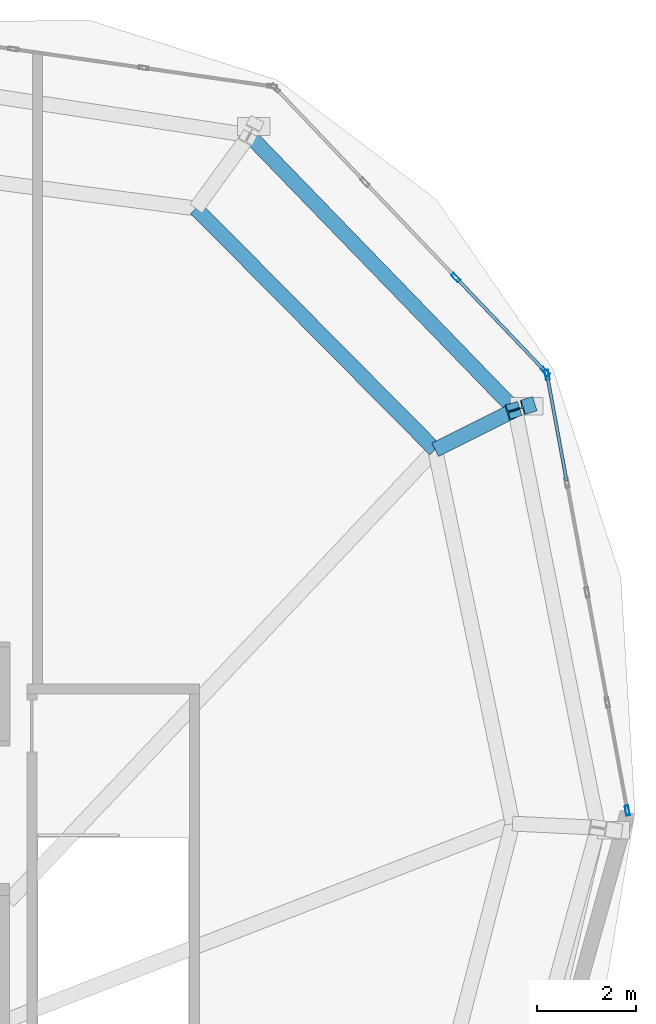
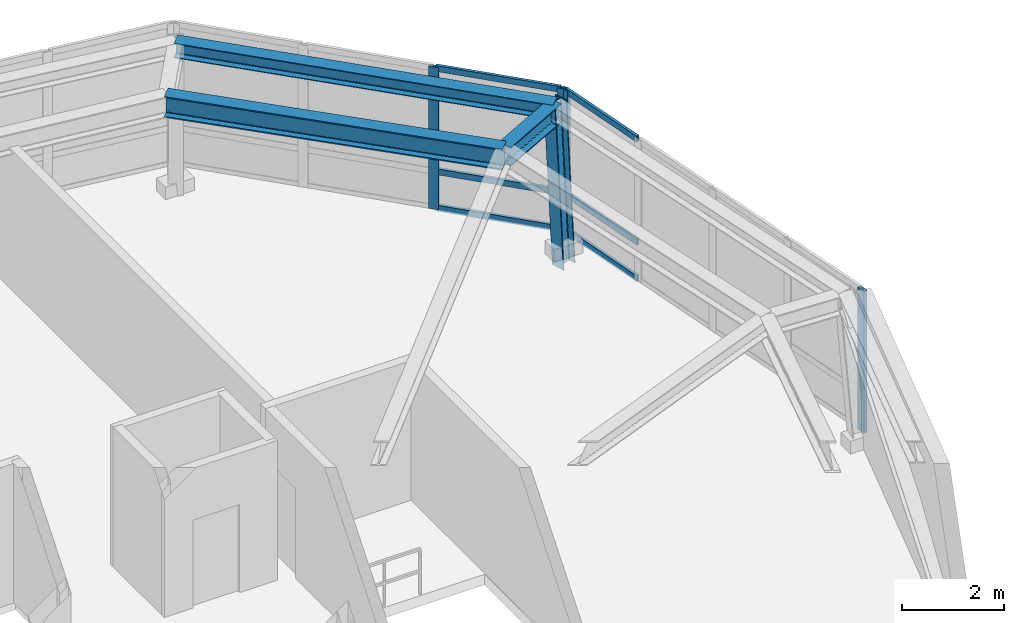
# One storey, part 8 of 14: 11 members, 3 beams, 2 elements without a shape of their own.
"""IFC4 building model written with IfcOpenShell, lengths in metres."""

from ifc_helpers import new_model, si_unit, direction, frame, origin, origin_2d, place, context, subcontext, project, spatial, hollow_rectangle, i_section, extrude, material, layer, layer_set, material_profile, profile_set, type_object, element, aggregate, save


model = new_model("IFC4")

# Units and contexts
model_context = context("Model", 3, precision=1e-05, world=origin(), true_north=direction((0.0, 1.0)))
body_context = subcontext(model_context, "Body", "Model", "MODEL_VIEW")
ifc_project = project(units=[si_unit("LENGTHUNIT", "METRE"), si_unit("AREAUNIT", "SQUARE_METRE"), si_unit("VOLUMEUNIT", "CUBIC_METRE"), si_unit("PLANEANGLEUNIT", "RADIAN"), si_unit("MASSUNIT", "GRAM", prefix="KILO"), si_unit("THERMODYNAMICTEMPERATUREUNIT", "KELVIN"), si_unit("POWERUNIT", "WATT")], contexts=[model_context])

# Site, building, storey
site_placement = place(None, origin())
site = spatial("IfcSite", under=ifc_project, at=site_placement, CompositionType="ELEMENT")
building_placement = place(site_placement, origin())
building = spatial("IfcBuilding", under=site, at=building_placement, Name="Ocrelia Relay Tower", CompositionType="ELEMENT")
storey_placement = place(building_placement, frame((0.0, 0.0, 288.0)))
storey = spatial("IfcBuildingStorey", under=building, at=storey_placement, Name="L72", CompositionType="ELEMENT", Elevation=288.0)

# Beams
ifc_material_1 = material(Name="Steel S355", Category="steel")
ifc_material_profile_1 = material_profile(ifc_material_1, i_section(OverallWidth=0.300048828125, OverallDepth=0.35009765625, WebThickness=0.010009765625, FlangeThickness=0.017578125, FilletRadius=0.027099609375, at=origin_2d()), Name="HEA 360")
ifc_profile_set_1 = profile_set([ifc_material_profile_1], Name="Steel S355")
beam_type_1 = type_object("IfcBeamType", Name="BM-HEA360", PredefinedType="SPANDREL", material=ifc_profile_set_1)
beam_1_placement = place(storey_placement, frame((47.775634765625, 36.7734375, 3.574951171875), z_axis=(-0.695765580141, 0.718268931175, 0.0), x_axis=(-0.718268931175, -0.695765580141, 0.0)))
element("IfcBeam", 1, at=beam_1_placement, inside=storey, type_object=beam_type_1, Name="L72 Crown Faceted Ring Beam R12", PredefinedType="SPANDREL", context=body_context, shape_type="SweptSolid", body=[
    extrude(i_section(OverallWidth=0.300048828125, OverallDepth=0.35009765625, WebThickness=0.010009765625, FlangeThickness=0.017578125, FilletRadius=0.027099609375, at=origin_2d()), origin(), (0.0, 0.0, 1.0), 7.702880859375),
])
ifc_material_profile_2 = material_profile(ifc_material_1, i_section(OverallWidth=0.300048828125, OverallDepth=0.449951171875, WebThickness=0.013916015625, FlangeThickness=0.02587890625, FilletRadius=0.027099609375, at=origin_2d()), Name="HEB 450")
ifc_profile_set_2 = profile_set([ifc_material_profile_2], Name="Steel S355")
beam_type_2 = type_object("IfcBeamType", Name="BM-HEB450", PredefinedType="BEAM", material=ifc_profile_set_2)
beam_2_placement = place(storey_placement, frame((47.775634765625, 36.7734375, 3.52490234375), z_axis=(-0.894860510653, -0.446345904511, 0.0), x_axis=(0.446345904511, -0.894860510653, 0.0)))
element("IfcBeam", 2, at=beam_2_placement, inside=storey, type_object=beam_type_2, Name="L72 Crown Step Radial Beam ST12", PredefinedType="BEAM", context=body_context, shape_type="SweptSolid", body=[
    extrude(i_section(OverallWidth=0.300048828125, OverallDepth=0.449951171875, WebThickness=0.013916015625, FlangeThickness=0.02587890625, FilletRadius=0.027099609375, at=origin_2d()), origin(), (0.0, 0.0, 1.0), 1.80126953125),
])
ifc_material_profile_3 = material_profile(ifc_material_1, i_section(OverallWidth=0.300048828125, OverallDepth=0.5, WebThickness=0.014404296875, FlangeThickness=0.028076171875, FilletRadius=0.027099609375, at=origin_2d()), Name="HEB 500")
ifc_profile_set_3 = profile_set([ifc_material_profile_3], Name="Steel S355")
beam_type_3 = type_object("IfcBeamType", Name="BM-HEB500", PredefinedType="BEAM", material=ifc_profile_set_3)
beam_3_placement = place(storey_placement, frame((46.163818359375, 35.969482421875, 3.5), z_axis=(-0.703978629078, 0.710221155558, 0.0), x_axis=(-0.710221155558, -0.703978629078, 0.0)))
element("IfcBeam", 3, at=beam_3_placement, inside=storey, type_object=beam_type_3, Name="L72 Crown Step Perimeter Ring Beam SR12", PredefinedType="BEAM", context=body_context, shape_type="SweptSolid", body=[
    extrude(i_section(OverallWidth=0.300048828125, OverallDepth=0.5, WebThickness=0.014404296875, FlangeThickness=0.028076171875, FilletRadius=0.027099609375, at=origin_2d()), origin(), (0.0, 0.0, 1.0), 6.84423828125),
])

# Curtain wall, members
ifc_material_2 = material(Name="Aluminium and solar-control low-E glass", Category="aluminium")
ifc_layer = layer(ifc_material_2, 0.179931640625, Name="Aluminium and solar-control low-E glass")
ifc_layer_set = layer_set([ifc_layer], Name="Aluminium and solar-control low-E glass")
curtain_wall_type = type_object("IfcCurtainWallType", Name="CW-SYS-CROWN-PT", PredefinedType="NOTDEFINED", material=ifc_layer_set)
curtain_wall_1_placement = place(storey_placement, origin())
curtain_wall_1 = element("IfcCurtainWall", 4, at=curtain_wall_1_placement, inside=storey, type_object=curtain_wall_type, Name="L72 Faceted Glass-Point Crown Curtain Wall 11", PredefinedType="NOTDEFINED")
ifc_material_3 = material(Name="Anodised bronze aluminium", Category="aluminium")
ifc_material_profile_4 = material_profile(ifc_material_3, hollow_rectangle(XDim=0.074951171875, YDim=0.199951171875, WallThickness=0.006103515625, at=origin_2d()), Name="CW-MUL-200x75")
ifc_profile_set_4 = profile_set([ifc_material_profile_4], Name="Anodised bronze aluminium")
member_type_1 = type_object("IfcMemberType", Name="CW-SYS-CROWN-PT-MUL", PredefinedType="MULLION", material=ifc_profile_set_4)
member_1_placement = place(storey_placement, frame((50.035400390625, 28.70068359375, 0.0), z_axis=(0.0, 0.0, 1.0), x_axis=(-0.983470580695, -0.181067989736, 0.0)))
member_1 = element("IfcMember", 5, at=member_1_placement, type_object=member_type_1, Name="CW-CR mullion 1", PredefinedType="MULLION", context=body_context, shape_type="SweptSolid", body=[
    extrude(hollow_rectangle(XDim=0.074951171875, YDim=0.199951171875, WallThickness=0.006103515625, at=origin_2d()), origin(), (0.0, 0.0, 1.0), 3.389892578125),
])
member_2_placement = place(storey_placement, frame((48.419189453125, 37.479736328125, 0.0), z_axis=(0.0, 0.0, 1.0), x_axis=(-0.983470580695, -0.181067989736, 0.0)))
member_2 = element("IfcMember", 6, at=member_2_placement, type_object=member_type_1, Name="CW-CR mullion 5", PredefinedType="MULLION", context=body_context, shape_type="SweptSolid", body=[
    extrude(hollow_rectangle(XDim=0.074951171875, YDim=0.199951171875, WallThickness=0.006103515625, at=origin_2d()), origin(), (0.0, 0.0, 1.0), 3.389892578125),
])

curtain_wall_2_placement = place(storey_placement, origin())
curtain_wall_2 = element("IfcCurtainWall", 7, at=curtain_wall_2_placement, inside=storey, type_object=curtain_wall_type, Name="L72 Faceted Glass-Point Crown Curtain Wall 12", PredefinedType="NOTDEFINED")
member_3_placement = place(storey_placement, frame((48.386474609375, 37.5439453125, 0.0), z_axis=(0.0, 0.0, 1.0), x_axis=(-0.724174661625, -0.689616603237, 0.0)))
member_3 = element("IfcMember", 8, at=member_3_placement, type_object=member_type_1, Name="CW-CR mullion 1", PredefinedType="MULLION", context=body_context, shape_type="SweptSolid", body=[
    extrude(hollow_rectangle(XDim=0.074951171875, YDim=0.199951171875, WallThickness=0.006103515625, at=origin_2d()), origin(), (0.0, 0.0, 1.0), 3.389892578125),
])
member_4_placement = place(storey_placement, frame((46.581787109375, 39.43896484375, 0.0), z_axis=(0.0, 0.0, 1.0), x_axis=(-0.724174661625, -0.689616603237, 0.0)))
member_4 = element("IfcMember", 9, at=member_4_placement, type_object=member_type_1, Name="CW-CR mullion 2", PredefinedType="MULLION", context=body_context, shape_type="SweptSolid", body=[
    extrude(hollow_rectangle(XDim=0.074951171875, YDim=0.199951171875, WallThickness=0.006103515625, at=origin_2d()), origin(), (0.0, 0.0, 1.0), 3.389892578125),
])

# Member
ifc_material_profile_5 = material_profile(ifc_material_3, hollow_rectangle(XDim=0.06494140625, YDim=0.139892578125, WallThickness=0.0048828125, at=origin_2d()), Name="CW-TRN-140x65")
ifc_profile_set_5 = profile_set([ifc_material_profile_5], Name="Anodised bronze aluminium")
member_type_2 = type_object("IfcMemberType", Name="CW-SYS-CROWN-PT-TRN", PredefinedType="USERDEFINED", material=ifc_profile_set_5)
member_5_placement = place(storey_placement, frame((48.81298828125, 35.34033203125, 0.032470703125), z_axis=(-0.181005470425, 0.983482089149, 0.0), x_axis=(-0.983482089149, -0.181005470425, 0.0)))
member_5 = element("IfcMember", 10, at=member_5_placement, type_object=member_type_2, Name="CW-CR transom 4.1", ObjectType="TRANSOM", PredefinedType="USERDEFINED", context=body_context, shape_type="SweptSolid", body=[
    extrude(hollow_rectangle(XDim=0.06494140625, YDim=0.139892578125, WallThickness=0.0048828125, at=origin_2d()), origin(), (0.0, 0.0, 1.0), 2.137939453125),
])

member_6_placement = place(storey_placement, frame((48.81298828125, 35.34033203125, 0.89990234375), z_axis=(-0.181005470425, 0.983482089149, 0.0), x_axis=(-0.983482089149, -0.181005470425, 0.0)))
member_6 = element("IfcMember", 11, at=member_6_placement, type_object=member_type_2, Name="CW-CR transom 4.2", ObjectType="TRANSOM", PredefinedType="USERDEFINED", context=body_context, shape_type="SweptSolid", body=[
    extrude(hollow_rectangle(XDim=0.06494140625, YDim=0.139892578125, WallThickness=0.0048828125, at=origin_2d()), origin(), (0.0, 0.0, 1.0), 2.137939453125),
])

member_7_placement = place(storey_placement, frame((48.81298828125, 35.34033203125, 3.357421875), z_axis=(-0.181005470425, 0.983482089149, 0.0), x_axis=(-0.983482089149, -0.181005470425, 0.0)))
member_7 = element("IfcMember", 12, at=member_7_placement, type_object=member_type_2, Name="CW-CR transom 4.3", ObjectType="TRANSOM", PredefinedType="USERDEFINED", context=body_context, shape_type="SweptSolid", body=[
    extrude(hollow_rectangle(XDim=0.06494140625, YDim=0.139892578125, WallThickness=0.0048828125, at=origin_2d()), origin(), (0.0, 0.0, 1.0), 2.137939453125),
])

aggregate(curtain_wall_1, [member_1, member_2, member_5, member_6, member_7])

member_8_placement = place(storey_placement, frame((48.360595703125, 37.571044921875, 0.032470703125), z_axis=(-0.689607205217, 0.72418361105, 0.0), x_axis=(-0.72418361105, -0.689607205217, 0.0)))
member_8 = element("IfcMember", 13, at=member_8_placement, type_object=member_type_2, Name="CW-CR transom 1.1", ObjectType="TRANSOM", PredefinedType="USERDEFINED", context=body_context, shape_type="SweptSolid", body=[
    extrude(hollow_rectangle(XDim=0.06494140625, YDim=0.139892578125, WallThickness=0.0048828125, at=origin_2d()), origin(), (0.0, 0.0, 1.0), 2.5419921875),
])

member_9_placement = place(storey_placement, frame((48.360595703125, 37.571044921875, 0.89990234375), z_axis=(-0.689607205217, 0.72418361105, 0.0), x_axis=(-0.72418361105, -0.689607205217, 0.0)))
member_9 = element("IfcMember", 14, at=member_9_placement, type_object=member_type_2, Name="CW-CR transom 1.2", ObjectType="TRANSOM", PredefinedType="USERDEFINED", context=body_context, shape_type="SweptSolid", body=[
    extrude(hollow_rectangle(XDim=0.06494140625, YDim=0.139892578125, WallThickness=0.0048828125, at=origin_2d()), origin(), (0.0, 0.0, 1.0), 2.5419921875),
])

member_10_placement = place(storey_placement, frame((48.360595703125, 37.571044921875, 3.357421875), z_axis=(-0.689607205217, 0.72418361105, 0.0), x_axis=(-0.72418361105, -0.689607205217, 0.0)))
member_10 = element("IfcMember", 15, at=member_10_placement, type_object=member_type_2, Name="CW-CR transom 1.3", ObjectType="TRANSOM", PredefinedType="USERDEFINED", context=body_context, shape_type="SweptSolid", body=[
    extrude(hollow_rectangle(XDim=0.06494140625, YDim=0.139892578125, WallThickness=0.0048828125, at=origin_2d()), origin(), (0.0, 0.0, 1.0), 2.5419921875),
])

aggregate(curtain_wall_2, [member_3, member_4, member_8, member_9, member_10])

ifc_material_profile_6 = material_profile(ifc_material_1, i_section(OverallWidth=0.300048828125, OverallDepth=0.340087890625, WebThickness=0.011962890625, FlangeThickness=0.021484375, FilletRadius=0.027099609375, at=origin_2d()), Name="HEB 340")
ifc_profile_set_6 = profile_set([ifc_material_profile_6], Name="Steel S355")
member_type_3 = type_object("IfcMemberType", Name="MB-CROWN-RIB", PredefinedType="STRUT", material=ifc_profile_set_6)
member_11_placement = place(storey_placement, frame((48.010498046875, 36.846923828125, -0.25), z_axis=(-0.058605013245, -0.018336911629, 0.998112824331), x_axis=(0.298613903106, -0.954374002617, 0.0)))
element("IfcMember", 16, at=member_11_placement, inside=storey, type_object=member_type_3, Name="L72 Crown Faceted Structural Strut Rib CR12", PredefinedType="STRUT", context=body_context, shape_type="SweptSolid", body=[
    extrude(i_section(OverallWidth=0.300048828125, OverallDepth=0.340087890625, WebThickness=0.011962890625, FlangeThickness=0.021484375, FilletRadius=0.027099609375, at=origin_2d()), origin(), (0.0, 0.0, 1.0), 4.007568359375),
])

save(model, "model.ifc")
